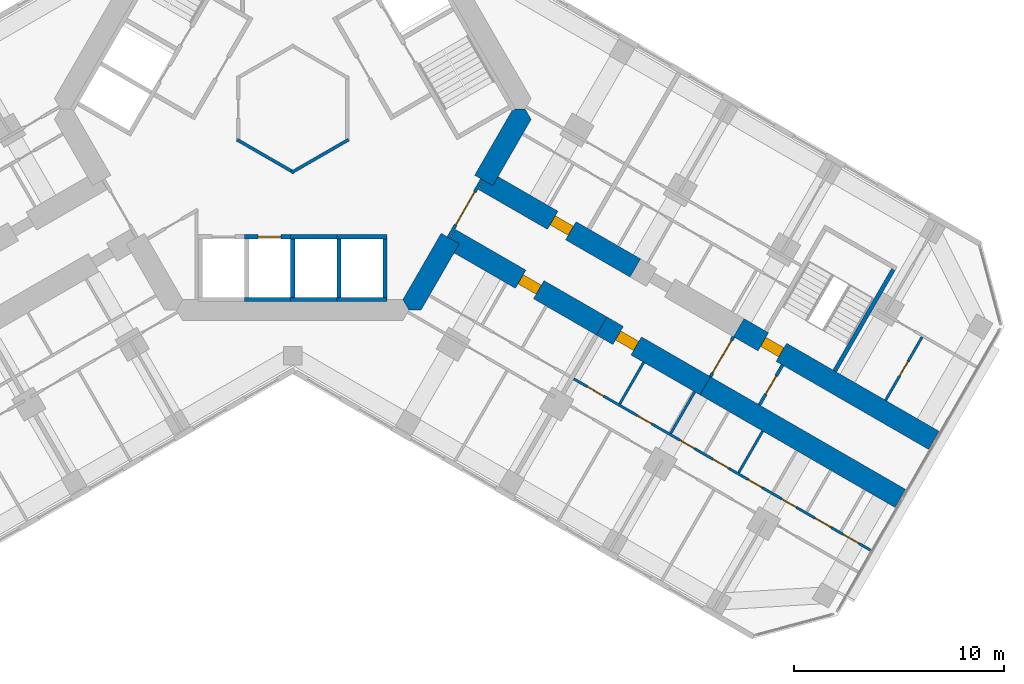
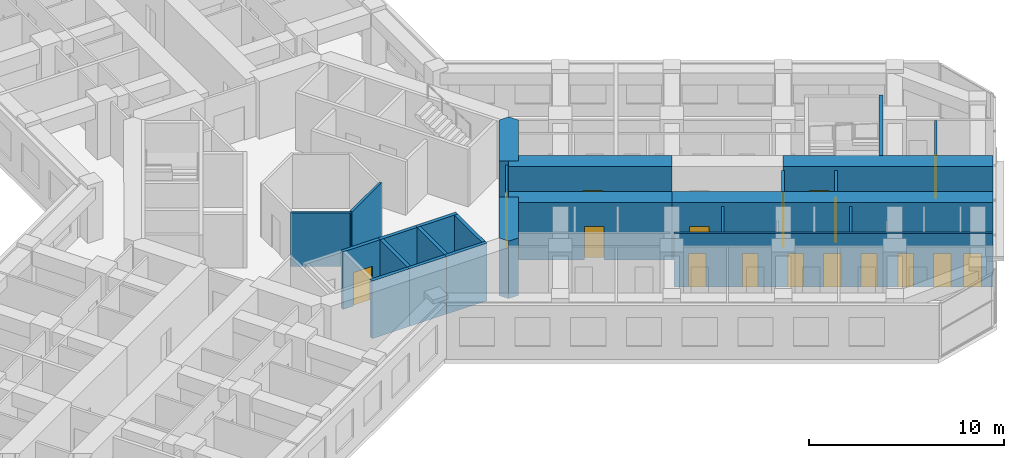
# One storey, part 15 of 22: 27 walls, 17 doors, 17 openings.
"""IFC4 building model written with IfcOpenShell, lengths in metres."""

import ifcopenshell
import ifcopenshell.guid

model = None  # the IFC model being written
_history = None  # IfcOwnerHistory: only IFC2X3 demands one
_inside = {}  # id of a spatial element -> (the spatial element, [elements in it])
_under = {}  # id of a project, library or spatial element -> (it, [spatial elements below it])
_declared = {}  # id of a project -> (the project, [libraries it declares])
_typed = {}  # id of a type object -> (the type object, [elements of that type])
_made_of = {}  # id of a material, layer set ... -> (it, [elements and type objects made of it])


def new_model(schema):
    """Start an empty IFC model of exactly this schema.

    Asked for "IFC4X3", IfcOpenShell would pick the latest addendum, in which some entities
    have other attributes; the version numbers below select the first issue.
    IFC2X3 requires an IfcOwnerHistory on every rooted entity: one is made here for all.
    """
    global model, _history
    if schema == "IFC4X3":
        model = ifcopenshell.file(schema_version=(4, 3, 0, 0))
    else:
        model = ifcopenshell.file(schema=schema)
    _inside.clear()
    _under.clear()
    _declared.clear()
    _typed.clear()
    _made_of.clear()
    _history = None
    if model.schema == "IFC2X3":
        org = make("IfcOrganization", Name="unknown")
        user = make(
            "IfcPersonAndOrganization",
            ThePerson=make("IfcPerson", FamilyName="unknown"),
            TheOrganization=org,
        )
        app = make(
            "IfcApplication",
            ApplicationDeveloper=org,
            Version="unknown",
            ApplicationFullName="unknown",
            ApplicationIdentifier="unknown",
        )
        _history = make(
            "IfcOwnerHistory",
            OwningUser=user,
            OwningApplication=app,
            ChangeAction="ADDED",
            CreationDate=0,
        )
    return model


def make(cls, **values):
    """One entity of the class cls with the attributes given. An attribute that is None is left unset."""
    return model.create_entity(
        cls, **{name: value for name, value in values.items() if value is not None}
    )


def rooted(cls, **values):
    """An entity with a GlobalId (a new one), such as an element, a storey or a relation."""
    return make(cls, GlobalId=ifcopenshell.guid.new(), OwnerHistory=_history, **values)


def si_unit(unit_type, name, prefix=None):
    """IfcSIUnit, for example si_unit("LENGTHUNIT", "METRE", prefix="MILLI")."""
    return make("IfcSIUnit", UnitType=unit_type, Prefix=prefix, Name=name)


def assignment(units):
    """IfcUnitAssignment: the units of a project."""
    return None if units is None else make("IfcUnitAssignment", Units=units)


def point(xyz):
    """IfcCartesianPoint."""
    return None if xyz is None else make("IfcCartesianPoint", Coordinates=xyz)


def direction(xyz):
    """IfcDirection."""
    return None if xyz is None else make("IfcDirection", DirectionRatios=xyz)


def frame(location, z_axis=None, x_axis=None):
    """IfcAxis2Placement3D, a coordinate frame: its origin and axes. An axis left out is left unset."""
    return make(
        "IfcAxis2Placement3D",
        Location=point(location),
        Axis=direction(z_axis),
        RefDirection=direction(x_axis),
    )


def frame_2d(location, x_axis=None):
    """IfcAxis2Placement2D, a coordinate frame in the plane: its origin and x axis."""
    return make(
        "IfcAxis2Placement2D", Location=point(location), RefDirection=direction(x_axis)
    )


def origin():
    """The frame at (0, 0, 0) with its axes left unset."""
    return frame((0.0, 0.0, 0.0))


def place(relative_to, where):
    """IfcLocalPlacement: puts the frame where relative to a parent placement (None: the world)."""
    return make(
        "IfcLocalPlacement", PlacementRelTo=relative_to, RelativePlacement=where
    )


def context(
    kind, dimensions, precision=None, world=None, true_north=None, identifier=None
):
    """IfcGeometricRepresentationContext, for example the 3D "Model" context."""
    return make(
        "IfcGeometricRepresentationContext",
        ContextIdentifier=identifier,
        ContextType=kind,
        CoordinateSpaceDimension=dimensions,
        Precision=precision,
        WorldCoordinateSystem=world,
        TrueNorth=true_north,
    )


def subcontext(parent, identifier, kind, view, scale=None):
    """IfcGeometricRepresentationSubContext, for example "Body" below "Model"."""
    return make(
        "IfcGeometricRepresentationSubContext",
        ContextIdentifier=identifier,
        ContextType=kind,
        ParentContext=parent,
        TargetScale=scale,
        TargetView=view,
    )


def project(units=None, contexts=None):
    """IfcProject with its units and contexts."""
    return rooted(
        "IfcProject",
        Name="project",
        RepresentationContexts=contexts,
        UnitsInContext=assignment(units),
    )


def spatial(cls, under=None, at=None, **own):
    """A site, building, storey or space (cls), placed at a placement, below another one or the project."""
    s = rooted(cls, ObjectPlacement=at, **own)
    if under is not None:
        _under.setdefault(under.id(), (under, []))[1].append(s)
    return s


def polyline(points):
    """IfcPolyline through the points."""
    return make("IfcPolyline", Points=[point(p) for p in points])


def profile(cls, at=None, kind="AREA", **sizes):
    """A parametric profile (cls). Its sizes go by their IFC names, for example OverallWidth=200.0."""
    return make(cls, ProfileType=kind, Position=at, **sizes)


def rectangle(**sizes):
    """IfcRectangleProfileDef."""
    return profile("IfcRectangleProfileDef", **sizes)


def outline(outer, holes=None, kind="AREA"):
    """IfcArbitraryClosedProfileDef: a profile drawn as a closed curve; with holes, ...WithVoids."""
    if holes is None:
        return make("IfcArbitraryClosedProfileDef", ProfileType=kind, OuterCurve=outer)
    return make(
        "IfcArbitraryProfileDefWithVoids",
        ProfileType=kind,
        OuterCurve=outer,
        InnerCurves=holes,
    )


def extrude(swept, where, along, depth):
    """IfcExtrudedAreaSolid: the profile swept, set in the frame where, extruded along a direction by depth."""
    return make(
        "IfcExtrudedAreaSolid",
        SweptArea=swept,
        Position=where,
        ExtrudedDirection=direction(along),
        Depth=depth,
    )


def shape(context_of_items, identifier, shape_type, items):
    """IfcShapeRepresentation: the items that make up one representation, for example the "Body"."""
    return make(
        "IfcShapeRepresentation",
        ContextOfItems=context_of_items,
        RepresentationIdentifier=identifier,
        RepresentationType=shape_type,
        Items=items,
    )


def material(Name=None, Category=None):
    """IfcMaterial."""
    return make("IfcMaterial", Name=Name, Category=Category)


def layer(
    of_material, thickness, ventilated=None, Name=None, Category=None, Priority=None
):
    """IfcMaterialLayer: one layer of a wall or slab, of a material (None: an air gap)."""
    return make(
        "IfcMaterialLayer",
        Material=of_material,
        LayerThickness=thickness,
        IsVentilated=ventilated,
        Name=Name,
        Category=Category,
        Priority=Priority,
    )


def layer_set(layers, Name=None):
    """IfcMaterialLayerSet."""
    return make("IfcMaterialLayerSet", MaterialLayers=layers, LayerSetName=Name)


def made_of(thing, what):
    """Note that an element or type object is made of a material, layer set ...; save() writes the relation."""
    if what is not None:
        _made_of.setdefault(what.id(), (what, []))[1].append(thing)
    return thing


def type_object(cls, material=None, **own):
    """A type object (cls), such as IfcWallType, which elements share."""
    return made_of(rooted(cls, **own), material)


def element(
    cls,
    number,
    at=None,
    inside=None,
    cuts=None,
    type_object=None,
    material=None,
    context=None,
    identifier="Body",
    shape_type=None,
    held_by="IfcProductDefinitionShape",
    body=None,
    shapes=None,
    **own,
):
    """One element of the class cls, such as IfcWall. Its Tag is "e" and its number.

    at: its placement. inside: the storey or other place that contains it. cuts: it is an
    opening in that element (IfcRelVoidsElement). A single representation is given by context,
    identifier, shape_type and body (its items); several are given by shapes. held_by: the class
    of the entity that holds the representations. save() writes the other relations.
    """
    e = rooted(cls, Tag="e%d" % number, ObjectPlacement=at, **own)
    if body is not None:
        shapes = [shape(context, identifier, shape_type, body)]
    if shapes is not None:
        e.Representation = make(held_by, Representations=shapes)
    if inside is not None:
        _inside.setdefault(inside.id(), (inside, []))[1].append(e)
    if cuts is not None:
        rooted(
            "IfcRelVoidsElement", RelatingBuildingElement=cuts, RelatedOpeningElement=e
        )
    if type_object is not None:
        _typed.setdefault(type_object.id(), (type_object, []))[1].append(e)
    return made_of(e, material)


def fill(opening, filler):
    """IfcRelFillsElement: the door or window that sits in an opening."""
    return rooted(
        "IfcRelFillsElement",
        RelatingOpeningElement=opening,
        RelatedBuildingElement=filler,
    )


def aggregate(whole, parts):
    """IfcRelAggregates: a whole, such as a stair, and the parts it consists of."""
    return rooted("IfcRelAggregates", RelatingObject=whole, RelatedObjects=parts)


def save(model, path):
    """Write the relations noted so far, then the file.

    IfcRelAggregates (storeys below a building ...), IfcRelContainedInSpatialStructure (elements
    in a storey), IfcRelDefinesByType, IfcRelAssociatesMaterial and IfcRelDeclares: one each for
    every whole, place, type object, material and project.
    """
    for whole, parts in _under.values():
        aggregate(whole, parts)
    for where, things in _inside.values():
        rooted(
            "IfcRelContainedInSpatialStructure",
            RelatedElements=things,
            RelatingStructure=where,
        )
    for kind, things in _typed.values():
        rooted("IfcRelDefinesByType", RelatedObjects=things, RelatingType=kind)
    for what, things in _made_of.values():
        rooted("IfcRelAssociatesMaterial", RelatedObjects=things, RelatingMaterial=what)
    for by, libraries in _declared.values():
        rooted("IfcRelDeclares", RelatingContext=by, RelatedDefinitions=libraries)
    model.write(path)


model = new_model("IFC4")

# Units and contexts
model_context = context("Model", 3, precision=1e-05, world=origin(), true_north=direction((0.0, 1.0)))
body_context = subcontext(model_context, "Body", "Model", "MODEL_VIEW")
ifc_project = project(units=[si_unit("LENGTHUNIT", "METRE"), si_unit("AREAUNIT", "SQUARE_METRE"), si_unit("VOLUMEUNIT", "CUBIC_METRE"), si_unit("PLANEANGLEUNIT", "RADIAN"), si_unit("MASSUNIT", "GRAM", prefix="KILO")], contexts=[model_context])

# Site, building, storey
site_placement = place(None, origin())
site = spatial("IfcSite", under=ifc_project, at=site_placement, CompositionType="ELEMENT")
building_placement = place(site_placement, origin())
building = spatial("IfcBuilding", under=site, at=building_placement, Name="Kosmar Iwan School Tower", CompositionType="ELEMENT")
storey_placement = place(building_placement, frame((0.0, 0.0, 95.199951171875)))
storey = spatial("IfcBuildingStorey", under=building, at=storey_placement, Name="L23", CompositionType="ELEMENT", Elevation=95.199951171875)

# Walls
ifc_material_1 = material(Name="Gypsum board on steel studs, fire-rated", Category="steel")
ifc_layer_1 = layer(ifc_material_1, 0.14990234375)
ifc_layer_set_1 = layer_set([ifc_layer_1], Name="Core room partition 150")
wall_type_1 = type_object("IfcWallType", Name="Core room partition 150", PredefinedType="PARTITIONING", material=ifc_layer_set_1)
for number, where, z_axis, x_axis, name in (
    (1, (2.6650390625, -1.463623046875, 0.0), (0.0, 0.0, 1.0), (-0.866023080072, -0.500004024767, 0.0), "Core room partition L23-CW4"),
    (2, (0.06494140625, -3.039794921875, 0.0), (0.0, 0.0, 1.0), (-0.866023080072, 0.500004024767, 0.0), "Core room partition L23-CW5"),
):
    element("IfcWall", number, at=place(storey_placement, frame(where, z_axis=z_axis, x_axis=x_axis)), inside=storey, type_object=wall_type_1, Name=name, PredefinedType="PARTITIONING", context=body_context, shape_type="SweptSolid", body=[
        extrude(rectangle(XDim=3.15234375, YDim=0.14990234375, at=frame_2d((1.576171875, 0.0))), origin(), (0.0, 0.0, 1.0), 3.35009765625),
    ])
ifc_material_2 = material(Name="Concrete C50/60", Category="concrete")
ifc_layer_2 = layer(ifc_material_2, 1.0)
ifc_layer_set_2 = layer_set([ifc_layer_2], Name="Core wall 1000")
wall_type_2 = type_object("IfcWallType", Name="Core wall 1000", PredefinedType="SHEAR", material=ifc_layer_set_2)
wall_1_placement = place(storey_placement, origin())
element("IfcWall", 3, at=wall_1_placement, inside=storey, type_object=wall_type_2, Name="Core wall F330a", PredefinedType="SHEAR", context=body_context, shape_type="SweptSolid", body=[
    extrude(outline(polyline([(5.54248046875, -9.60009765625), (6.119873046875, -9.60009765625), (7.94677734375, -6.435546875), (7.080810546875, -5.935546875), (5.25390625, -9.10009765625), (5.54248046875, -9.60009765625)])), origin(), (0.0, 0.0, 1.0), 3.60009765625),
])
wall_2_placement = place(storey_placement, origin())
element("IfcWall", 4, at=wall_2_placement, inside=storey, type_object=wall_type_2, Name="Core wall F330b", PredefinedType="SHEAR", context=body_context, shape_type="SweptSolid", body=[
    extrude(outline(polyline([(9.546875, -3.664306640625), (11.373779296875, -0.5), (11.085205078125, 0.0), (10.5078125, 0.0), (8.680908203125, -3.164306640625), (9.546875, -3.664306640625)])), origin(), (0.0, 0.0, 1.0), 3.60009765625),
])

# Wall, opening, door
ifc_material_3 = material(Name="Concrete C50/60", Category="concrete")
ifc_layer_3 = layer(ifc_material_3, 1.0)
ifc_layer_set_3 = layer_set([ifc_layer_3], Name="Corridor buttress wall 1000")
wall_type_3 = type_object("IfcWallType", Name="Corridor buttress wall 1000", PredefinedType="SHEAR", material=ifc_layer_set_3)
wall_3_placement = place(storey_placement, frame((9.11376953125, -3.414306640625, 0.0), z_axis=(0.0, 0.0, 1.0), x_axis=(0.866026859388, -0.499997478812, 0.0)))
wall_3 = element("IfcWall", 5, at=wall_3_placement, inside=storey, type_object=wall_type_3, Name="Corridor wall CL", PredefinedType="SHEAR", context=body_context, shape_type="SweptSolid", body=[
    extrude(rectangle(XDim=8.35009765625, YDim=1.0, at=frame_2d((4.175048828125, 0.0))), origin(), (0.0, 0.0, 1.0), 3.60009765625),
])
opening_1_placement = place(wall_3_placement, frame((3.800048828125, 0.0, 0.0)))
opening_1 = element("IfcOpeningElement", 6, at=opening_1_placement, cuts=wall_3, Name="Opening D1", PredefinedType="OPENING", context=body_context, shape_type="SweptSolid", body=[
    extrude(rectangle(XDim=1.0, YDim=2.10009765625, at=frame_2d((0.5, 1.050048828125))), frame((0.0, 0.511962890625, 0.0), z_axis=(0.0, -1.0, 0.0), x_axis=(1.0, 0.0, 0.0)), (0.0, 0.0, 1.0), 1.02392578125),
])
ifc_material_4 = material(Name="Timber fire door in steel frame", Category="steel")
door_type_1 = type_object("IfcDoorType", Name="Flat entrance door 1000x2100", OperationType="SINGLE_SWING_LEFT", PredefinedType="DOOR", material=ifc_material_4)
door_1_placement = place(opening_1_placement, origin())
door_1 = element("IfcDoor", 7, at=door_1_placement, inside=storey, type_object=door_type_1, Name="Flat L23-CL1 entrance door", OperationType="SINGLE_SWING_LEFT", OverallHeight=2.10009765625, OverallWidth=1.0, PredefinedType="DOOR", context=body_context, shape_type="SweptSolid", body=[
    extrude(rectangle(XDim=1.0, YDim=2.10009765625, at=frame_2d((0.5, 1.050048828125))), frame((0.0, 0.25, 0.0), z_axis=(0.0, -1.0, 0.0), x_axis=(1.0, 0.0, 0.0)), (0.0, 0.0, 1.0), 0.5),
])
fill(opening_1, door_1)

wall_4_placement = place(storey_placement, frame((21.281494140625, -10.439453125, 0.0), z_axis=(0.0, 0.0, 1.0), x_axis=(0.866032345022, -0.499987977232, 0.0)))
wall_4 = element("IfcWall", 8, at=wall_4_placement, inside=storey, type_object=wall_type_3, Name="Corridor wall CL bay 3", PredefinedType="SHEAR", context=body_context, shape_type="SweptSolid", body=[
    extrude(rectangle(XDim=10.744873046875, YDim=1.0, at=frame_2d((5.37255859375, 0.0))), origin(), (0.0, 0.0, 1.0), 3.60009765625),
])
opening_2_placement = place(wall_4_placement, frame((1.35009765625, 0.0, 0.0)))
opening_2 = element("IfcOpeningElement", 9, at=opening_2_placement, cuts=wall_4, Name="Opening D6", PredefinedType="OPENING", context=body_context, shape_type="SweptSolid", body=[
    extrude(rectangle(XDim=1.0, YDim=2.10009765625, at=frame_2d((0.5, 1.050048828125))), frame((0.0, 0.511962890625, 0.0), z_axis=(0.0, -1.0, 0.0), x_axis=(1.0, 0.0, 0.0)), (0.0, 0.0, 1.0), 1.02392578125),
])
ifc_material_5 = material(Name="Steel fire door", Category="steel")
door_type_2 = type_object("IfcDoorType", Name="Stair door 1000x2100", OperationType="SINGLE_SWING_LEFT", PredefinedType="DOOR", material=ifc_material_5)
door_2_placement = place(opening_2_placement, origin())
door_2 = element("IfcDoor", 10, at=door_2_placement, inside=storey, type_object=door_type_2, Name="Stair WS3 door L23", OperationType="SINGLE_SWING_LEFT", OverallHeight=2.10009765625, OverallWidth=1.0, PredefinedType="DOOR", context=body_context, shape_type="SweptSolid", body=[
    extrude(rectangle(XDim=1.0, YDim=2.10009765625, at=frame_2d((0.5, 1.050048828125))), frame((0.0, 0.25, 0.0), z_axis=(0.0, -1.0, 0.0), x_axis=(1.0, 0.0, 0.0)), (0.0, 0.0, 1.0), 0.5),
])
fill(opening_2, door_2)

wall_5_placement = place(storey_placement, frame((7.513916015625, -6.185546875, 0.0), z_axis=(0.0, 0.0, 1.0), x_axis=(0.866019549707, -0.500010139422, 0.0)))
wall_5 = element("IfcWall", 11, at=wall_5_placement, inside=storey, type_object=wall_type_3, Name="Corridor wall CR", PredefinedType="SHEAR", context=body_context, shape_type="SweptSolid", body=[
    extrude(rectangle(XDim=8.349853515625, YDim=1.0, at=frame_2d((4.1748046875, 0.0))), origin(), (0.0, 0.0, 1.0), 3.60009765625),
])
opening_3_placement = place(wall_5_placement, frame((3.8798828125, 0.0, 0.0)))
opening_3 = element("IfcOpeningElement", 12, at=opening_3_placement, cuts=wall_5, Name="Opening D1", PredefinedType="OPENING", context=body_context, shape_type="SweptSolid", body=[
    extrude(rectangle(XDim=1.0, YDim=2.10009765625, at=frame_2d((0.5, 1.050048828125))), frame((0.0, 0.511962890625, 0.0), z_axis=(0.0, -1.0, 0.0), x_axis=(1.0, 0.0, 0.0)), (0.0, 0.0, 1.0), 1.02392578125),
])
door_3_placement = place(opening_3_placement, origin())
door_3 = element("IfcDoor", 13, at=door_3_placement, inside=storey, type_object=door_type_1, Name="Flat L23-CR1 entrance door", OperationType="SINGLE_SWING_RIGHT", OverallHeight=2.10009765625, OverallWidth=1.0, PredefinedType="DOOR", context=body_context, shape_type="SweptSolid", body=[
    extrude(rectangle(XDim=1.0, YDim=2.10009765625, at=frame_2d((0.5, 1.050048828125))), frame((0.0, 0.25, 0.0), z_axis=(0.0, -1.0, 0.0), x_axis=(1.0, 0.0, 0.0)), (0.0, 0.0, 1.0), 0.5),
])
fill(opening_3, door_3)

wall_6_placement = place(storey_placement, frame((14.7451171875, -10.360595703125, 0.0), z_axis=(0.0, 0.0, 1.0), x_axis=(0.866015111908, -0.50001782563, 0.0)))
wall_6 = element("IfcWall", 14, at=wall_6_placement, inside=storey, type_object=wall_type_3, Name="Corridor wall CR bay 2", PredefinedType="SHEAR", context=body_context, shape_type="SweptSolid", body=[
    extrude(rectangle(XDim=5.699951171875, YDim=1.0, at=frame_2d((2.85009765625, 0.0))), origin(), (0.0, 0.0, 1.0), 3.60009765625),
])
opening_4_placement = place(wall_6_placement, frame((0.89990234375, 0.0, 0.0)))
opening_4 = element("IfcOpeningElement", 15, at=opening_4_placement, cuts=wall_6, Name="Opening D1", PredefinedType="OPENING", context=body_context, shape_type="SweptSolid", body=[
    extrude(rectangle(XDim=1.0, YDim=2.10009765625, at=frame_2d((0.5, 1.050048828125))), frame((0.0, 0.511962890625, 0.0), z_axis=(0.0, -1.0, 0.0), x_axis=(1.0, 0.0, 0.0)), (0.0, 0.0, 1.0), 1.02392578125),
])
door_4_placement = place(opening_4_placement, origin())
door_4 = element("IfcDoor", 16, at=door_4_placement, inside=storey, type_object=door_type_1, Name="Flat L23-CR2 entrance door", OperationType="SINGLE_SWING_LEFT", OverallHeight=2.10009765625, OverallWidth=1.0, PredefinedType="DOOR", context=body_context, shape_type="SweptSolid", body=[
    extrude(rectangle(XDim=1.0, YDim=2.10009765625, at=frame_2d((0.5, 1.050048828125))), frame((0.0, 0.25, 0.0), z_axis=(0.0, -1.0, 0.0), x_axis=(1.0, 0.0, 0.0)), (0.0, 0.0, 1.0), 0.5),
])
fill(opening_4, door_4)

# Wall
wall_7_placement = place(storey_placement, frame((19.681396484375, -13.210693359375, 0.0), z_axis=(0.0, 0.0, 1.0), x_axis=(0.866028186671, -0.499995179869, 0.0)))
element("IfcWall", 17, at=wall_7_placement, inside=storey, type_object=wall_type_3, Name="Corridor wall CR bay 3", PredefinedType="SHEAR", context=body_context, shape_type="SweptSolid", body=[
    extrude(rectangle(XDim=10.7451171875, YDim=1.0, at=frame_2d((5.37255859375, 0.0))), origin(), (0.0, 0.0, 1.0), 3.60009765625),
])

# Wall, opening, door
ifc_material_6 = material(Name="Gypsum board on steel studs, fire-rated", Category="steel")
ifc_layer_4 = layer(ifc_material_6, 0.14990234375)
ifc_layer_set_4 = layer_set([ifc_layer_4], Name="Corridor end wall 150")
wall_type_4 = type_object("IfcWallType", Name="Corridor end wall 150", PredefinedType="PARTITIONING", material=ifc_layer_set_4)
wall_8_placement = place(storey_placement, frame((22.269775390625, -14.127685546875, 0.0), z_axis=(0.0, 0.0, 1.0), x_axis=(0.50002983664, 0.866008176907, 0.0)))
wall_8 = element("IfcWall", 18, at=wall_8_placement, inside=storey, type_object=wall_type_4, Name="Partition L23-C-CE", PredefinedType="PARTITIONING", context=body_context, shape_type="SweptSolid", body=[
    extrude(rectangle(XDim=2.199951171875, YDim=0.14990234375, at=frame_2d((1.10009765625, 0.0))), origin(), (0.0, 0.0, 1.0), 3.35009765625),
])
opening_5_placement = place(wall_8_placement, frame((0.60009765625, 0.0, 0.0)))
opening_5 = element("IfcOpeningElement", 19, at=opening_5_placement, cuts=wall_8, Name="Opening D13", PredefinedType="OPENING", context=body_context, shape_type="SweptSolid", body=[
    extrude(rectangle(XDim=1.0, YDim=2.10009765625, at=frame_2d((0.5, 1.050048828125))), frame((0.0, 0.0869140625, 0.0), z_axis=(0.0, -1.0, 0.0), x_axis=(1.0, 0.0, 0.0)), (0.0, 0.0, 1.0), 0.173828125),
])
ifc_material_7 = material(Name="Timber fire door with vision panel", Category="wood")
door_type_3 = type_object("IfcDoorType", Name="Corridor end door 1000x2100", OperationType="SINGLE_SWING_LEFT", PredefinedType="DOOR", material=ifc_material_7)
door_5_placement = place(opening_5_placement, origin())
door_5 = element("IfcDoor", 20, at=door_5_placement, inside=storey, type_object=door_type_3, Name="Hobby workshop door L23-C", OperationType="SINGLE_SWING_RIGHT", OverallHeight=2.10009765625, OverallWidth=1.0, PredefinedType="DOOR", context=body_context, shape_type="SweptSolid", body=[
    extrude(rectangle(XDim=1.0, YDim=2.10009765625, at=frame_2d((0.5, 1.050048828125))), frame((0.0, 0.02490234375, 0.0), z_axis=(0.0, -1.0, 0.0), x_axis=(1.0, 0.0, 0.0)), (0.0, 0.0, 1.0), 0.050048828125),
])
fill(opening_5, door_5)

wall_9_placement = place(storey_placement, frame((19.931396484375, -12.777587890625, 0.0), z_axis=(0.0, 0.0, 1.0), x_axis=(0.50002983664, 0.866008176907, 0.0)))
wall_9 = element("IfcWall", 21, at=wall_9_placement, inside=storey, type_object=wall_type_4, Name="Partition L23-C-HW", PredefinedType="PARTITIONING", context=body_context, shape_type="SweptSolid", body=[
    extrude(rectangle(XDim=2.199951171875, YDim=0.14990234375, at=frame_2d((1.10009765625, 0.0))), origin(), (0.0, 0.0, 1.0), 3.35009765625),
])
opening_6_placement = place(wall_9_placement, frame((0.199951171875, 0.0, 0.0)))
opening_6 = element("IfcOpeningElement", 22, at=opening_6_placement, cuts=wall_9, Name="Opening D9", PredefinedType="OPENING", context=body_context, shape_type="SweptSolid", body=[
    extrude(rectangle(XDim=1.800048828125, YDim=2.10009765625, at=frame_2d((0.89990234375, 1.050048828125))), frame((0.0, 0.0869140625, 0.0), z_axis=(0.0, -1.0, 0.0), x_axis=(1.0, 0.0, 0.0)), (0.0, 0.0, 1.0), 0.173828125),
])
ifc_material_8 = material(Name="Steel framed glazed smoke door", Category="steel")
door_type_4 = type_object("IfcDoorType", Name="Corridor smoke door pair 1800x2100", OperationType="DOUBLE_DOOR_DOUBLE_SWING", PredefinedType="DOOR", material=ifc_material_8)
door_6_placement = place(opening_6_placement, origin())
door_6 = element("IfcDoor", 23, at=door_6_placement, inside=storey, type_object=door_type_4, Name="Entrance vestibule smoke doors L23-C", OperationType="DOUBLE_DOOR_DOUBLE_SWING", OverallHeight=2.10009765625, OverallWidth=1.800048828125, PredefinedType="DOOR", context=body_context, shape_type="SweptSolid", body=[
    extrude(rectangle(XDim=1.800048828125, YDim=2.10009765625, at=frame_2d((0.89990234375, 1.050048828125))), frame((0.0, 0.02490234375, 0.0), z_axis=(0.0, -1.0, 0.0), x_axis=(1.0, 0.0, 0.0)), (0.0, 0.0, 1.0), 0.050048828125),
])
fill(opening_6, door_6)

ifc_material_9 = material(Name="Steel framed glazed screen", Category="steel")
ifc_layer_5 = layer(ifc_material_9, 0.14990234375)
ifc_layer_set_5 = layer_set([ifc_layer_5], Name="Corridor screen wall 150")
wall_type_5 = type_object("IfcWallType", Name="Corridor screen wall 150", PredefinedType="PARTITIONING", material=ifc_layer_set_5)
wall_10_placement = place(storey_placement, frame((7.42724609375, -6.1357421875, 0.0), z_axis=(0.0, 0.0, 1.0), x_axis=(0.499995408039, 0.866028054938, 0.0)))
wall_10 = element("IfcWall", 24, at=wall_10_placement, inside=storey, type_object=wall_type_5, Name="Corridor screen C L23", PredefinedType="PARTITIONING", context=body_context, shape_type="SweptSolid", body=[
    extrude(rectangle(XDim=3.2001953125, YDim=0.14990234375, at=frame_2d((1.60009765625, 0.0))), origin(), (0.0, 0.0, 1.0), 3.35009765625),
])
opening_7_placement = place(wall_10_placement, frame((0.699951171875, 0.0, 0.0)))
opening_7 = element("IfcOpeningElement", 25, at=opening_7_placement, cuts=wall_10, Name="Opening D9", PredefinedType="OPENING", context=body_context, shape_type="SweptSolid", body=[
    extrude(rectangle(XDim=1.800048828125, YDim=2.10009765625, at=frame_2d((0.89990234375, 1.050048828125))), frame((0.0, 0.0869140625, 0.0), z_axis=(0.0, -1.0, 0.0), x_axis=(1.0, 0.0, 0.0)), (0.0, 0.0, 1.0), 0.173828125),
])
door_7_placement = place(opening_7_placement, origin())
door_7 = element("IfcDoor", 26, at=door_7_placement, inside=storey, type_object=door_type_4, Name="Corridor doors C L23", OperationType="DOUBLE_DOOR_DOUBLE_SWING", OverallHeight=2.10009765625, OverallWidth=1.800048828125, PredefinedType="DOOR", context=body_context, shape_type="SweptSolid", body=[
    extrude(rectangle(XDim=1.800048828125, YDim=2.10009765625, at=frame_2d((0.89990234375, 1.050048828125))), frame((0.0, 0.02490234375, 0.0), z_axis=(0.0, -1.0, 0.0), x_axis=(1.0, 0.0, 0.0)), (0.0, 0.0, 1.0), 0.050048828125),
])
fill(opening_7, door_7)

ifc_material_10 = material(Name="Gypsum board on steel studs", Category="steel")
ifc_layer_6 = layer(ifc_material_10, 0.1201171875)
ifc_layer_set_6 = layer_set([ifc_layer_6], Name="Dwelling partition 120")
wall_type_6 = type_object("IfcWallType", Name="Dwelling partition 120", PredefinedType="PARTITIONING", material=ifc_layer_set_6)
wall_11_placement = place(storey_placement, frame((28.286376953125, -13.90625, 0.0), z_axis=(0.0, 0.0, 1.0), x_axis=(0.50002117804, 0.866013176292, 0.0)))
wall_11 = element("IfcWall", 27, at=wall_11_placement, inside=storey, type_object=wall_type_6, Name="Partition L23-CL2-TY", PredefinedType="PARTITIONING", context=body_context, shape_type="SweptSolid", body=[
    extrude(rectangle(XDim=3.489990234375, YDim=0.1201171875, at=frame_2d((1.7451171875, 0.0))), origin(), (0.0, 0.0, 1.0), 3.35009765625),
])
opening_8_placement = place(wall_11_placement, frame((1.344970703125, 0.0, 0.0)))
opening_8 = element("IfcOpeningElement", 28, at=opening_8_placement, cuts=wall_11, Name="Opening D3", PredefinedType="OPENING", context=body_context, shape_type="SweptSolid", body=[
    extrude(rectangle(XDim=0.800048828125, YDim=2.10009765625, at=frame_2d((0.39990234375, 1.050048828125))), frame((0.0, 0.072021484375, 0.0), z_axis=(0.0, -1.0, 0.0), x_axis=(1.0, 0.0, 0.0)), (0.0, 0.0, 1.0), 0.14404296875),
])
ifc_material_11 = material(Name="Timber door in timber frame", Category="wood")
door_type_5 = type_object("IfcDoorType", Name="Sanitary room door 800x2100", OperationType="SINGLE_SWING_LEFT", PredefinedType="DOOR", material=ifc_material_11)
door_8_placement = place(opening_8_placement, origin())
door_8 = element("IfcDoor", 29, at=door_8_placement, inside=storey, type_object=door_type_5, Name="Shower room door L23-CL2-T4", OperationType="SINGLE_SWING_LEFT", OverallHeight=2.10009765625, OverallWidth=0.800048828125, PredefinedType="DOOR", context=body_context, shape_type="SweptSolid", body=[
    extrude(rectangle(XDim=0.800048828125, YDim=2.10009765625, at=frame_2d((0.39990234375, 1.050048828125))), frame((0.0, 0.02490234375, 0.0), z_axis=(0.0, -1.0, 0.0), x_axis=(1.0, 0.0, 0.0)), (0.0, 0.0, 1.0), 0.050048828125),
])
fill(opening_8, door_8)

# Wall, openings, doors
wall_12_placement = place(storey_placement, frame((13.40673828125, -12.87890625, 0.0), z_axis=(0.0, 0.0, 1.0), x_axis=(0.86603037493, -0.499991389624, 0.0)))
wall_12 = element("IfcWall", 30, at=wall_12_placement, inside=storey, type_object=wall_type_6, Name="Partition L23-CR2-W1", PredefinedType="PARTITIONING", context=body_context, shape_type="SweptSolid", body=[
    extrude(rectangle(XDim=16.344970703125, YDim=0.1201171875, at=frame_2d((8.17236328125, 0.0))), origin(), (0.0, 0.0, 1.0), 3.35009765625),
])
opening_9_placement = place(wall_12_placement, frame((0.75, 0.0, 0.0)))
opening_9 = element("IfcOpeningElement", 31, at=opening_9_placement, cuts=wall_12, Name="Opening D2", PredefinedType="OPENING", context=body_context, shape_type="SweptSolid", body=[
    extrude(rectangle(XDim=0.89990234375, YDim=2.10009765625, at=frame_2d((0.449951171875, 1.050048828125))), frame((0.0, 0.072021484375, 0.0), z_axis=(0.0, -1.0, 0.0), x_axis=(1.0, 0.0, 0.0)), (0.0, 0.0, 1.0), 0.14404296875),
])
opening_10_placement = place(wall_12_placement, frame((3.505126953125, 0.0, 0.0)))
opening_10 = element("IfcOpeningElement", 32, at=opening_10_placement, cuts=wall_12, Name="Opening D3", PredefinedType="OPENING", context=body_context, shape_type="SweptSolid", body=[
    extrude(rectangle(XDim=0.800048828125, YDim=2.10009765625, at=frame_2d((0.39990234375, 1.050048828125))), frame((0.0, 0.072021484375, 0.0), z_axis=(0.0, -1.0, 0.0), x_axis=(1.0, 0.0, 0.0)), (0.0, 0.0, 1.0), 0.14404296875),
])
opening_11_placement = place(wall_12_placement, frame((5.8466796875, 0.0, 0.0)))
opening_11 = element("IfcOpeningElement", 33, at=opening_11_placement, cuts=wall_12, Name="Opening D3", PredefinedType="OPENING", context=body_context, shape_type="SweptSolid", body=[
    extrude(rectangle(XDim=0.800048828125, YDim=2.10009765625, at=frame_2d((0.39990234375, 1.050048828125))), frame((0.0, 0.072021484375, 0.0), z_axis=(0.0, -1.0, 0.0), x_axis=(1.0, 0.0, 0.0)), (0.0, 0.0, 1.0), 0.14404296875),
])
opening_12_placement = place(wall_12_placement, frame((7.669921875, 0.0, 0.0)))
opening_12 = element("IfcOpeningElement", 34, at=opening_12_placement, cuts=wall_12, Name="Opening D2", PredefinedType="OPENING", context=body_context, shape_type="SweptSolid", body=[
    extrude(rectangle(XDim=0.89990234375, YDim=2.10009765625, at=frame_2d((0.449951171875, 1.050048828125))), frame((0.0, 0.072021484375, 0.0), z_axis=(0.0, -1.0, 0.0), x_axis=(1.0, 0.0, 0.0)), (0.0, 0.0, 1.0), 0.14404296875),
])
opening_13_placement = place(wall_12_placement, frame((9.59326171875, 0.0, 0.0)))
opening_13 = element("IfcOpeningElement", 35, at=opening_13_placement, cuts=wall_12, Name="Opening D3", PredefinedType="OPENING", context=body_context, shape_type="SweptSolid", body=[
    extrude(rectangle(XDim=0.800048828125, YDim=2.10009765625, at=frame_2d((0.39990234375, 1.050048828125))), frame((0.0, 0.072021484375, 0.0), z_axis=(0.0, -1.0, 0.0), x_axis=(1.0, 0.0, 0.0)), (0.0, 0.0, 1.0), 0.14404296875),
])
opening_14_placement = place(wall_12_placement, frame((11.466796875, 0.0, 0.0)))
opening_14 = element("IfcOpeningElement", 36, at=opening_14_placement, cuts=wall_12, Name="Opening D3", PredefinedType="OPENING", context=body_context, shape_type="SweptSolid", body=[
    extrude(rectangle(XDim=0.800048828125, YDim=2.10009765625, at=frame_2d((0.39990234375, 1.050048828125))), frame((0.0, 0.072021484375, 0.0), z_axis=(0.0, -1.0, 0.0), x_axis=(1.0, 0.0, 0.0)), (0.0, 0.0, 1.0), 0.14404296875),
])
opening_15_placement = place(wall_12_placement, frame((13.2900390625, 0.0, 0.0)))
opening_15 = element("IfcOpeningElement", 37, at=opening_15_placement, cuts=wall_12, Name="Opening D2", PredefinedType="OPENING", context=body_context, shape_type="SweptSolid", body=[
    extrude(rectangle(XDim=0.89990234375, YDim=2.10009765625, at=frame_2d((0.449951171875, 1.050048828125))), frame((0.0, 0.072021484375, 0.0), z_axis=(0.0, -1.0, 0.0), x_axis=(1.0, 0.0, 0.0)), (0.0, 0.0, 1.0), 0.14404296875),
])
opening_16_placement = place(wall_12_placement, frame((14.836669921875, 0.0, 0.0)))
opening_16 = element("IfcOpeningElement", 38, at=opening_16_placement, cuts=wall_12, Name="Opening D2", PredefinedType="OPENING", context=body_context, shape_type="SweptSolid", body=[
    extrude(rectangle(XDim=0.89990234375, YDim=2.10009765625, at=frame_2d((0.449951171875, 1.050048828125))), frame((0.0, 0.072021484375, 0.0), z_axis=(0.0, -1.0, 0.0), x_axis=(1.0, 0.0, 0.0)), (0.0, 0.0, 1.0), 0.14404296875),
])
ifc_material_12 = material(Name="Timber door in timber frame", Category="wood")
door_type_6 = type_object("IfcDoorType", Name="Internal door 900x2100", OperationType="SINGLE_SWING_LEFT", PredefinedType="DOOR", material=ifc_material_12)
door_9_placement = place(opening_9_placement, origin())
door_9 = element("IfcDoor", 39, at=door_9_placement, inside=storey, type_object=door_type_6, Name="Entrance hall door L23-CR2-S1", OperationType="SINGLE_SWING_RIGHT", OverallHeight=2.10009765625, OverallWidth=0.89990234375, PredefinedType="DOOR", context=body_context, shape_type="SweptSolid", body=[
    extrude(rectangle(XDim=0.89990234375, YDim=2.10009765625, at=frame_2d((0.449951171875, 1.050048828125))), frame((0.0, 0.02490234375, 0.0), z_axis=(0.0, -1.0, 0.0), x_axis=(1.0, 0.0, 0.0)), (0.0, 0.0, 1.0), 0.050048828125),
])
fill(opening_9, door_9)
door_10_placement = place(opening_12_placement, origin())
door_10 = element("IfcDoor", 40, at=door_10_placement, inside=storey, type_object=door_type_6, Name="Pantry door L23-CR2-S4", OperationType="SINGLE_SWING_LEFT", OverallHeight=2.10009765625, OverallWidth=0.89990234375, PredefinedType="DOOR", context=body_context, shape_type="SweptSolid", body=[
    extrude(rectangle(XDim=0.89990234375, YDim=2.10009765625, at=frame_2d((0.449951171875, 1.050048828125))), frame((0.0, 0.02490234375, 0.0), z_axis=(0.0, -1.0, 0.0), x_axis=(1.0, 0.0, 0.0)), (0.0, 0.0, 1.0), 0.050048828125),
])
fill(opening_12, door_10)
door_11_placement = place(opening_15_placement, origin())
door_11 = element("IfcDoor", 41, at=door_11_placement, inside=storey, type_object=door_type_6, Name="Utility room door L23-CR2-S7", OperationType="SINGLE_SWING_RIGHT", OverallHeight=2.10009765625, OverallWidth=0.89990234375, PredefinedType="DOOR", context=body_context, shape_type="SweptSolid", body=[
    extrude(rectangle(XDim=0.89990234375, YDim=2.10009765625, at=frame_2d((0.449951171875, 1.050048828125))), frame((0.0, 0.02490234375, 0.0), z_axis=(0.0, -1.0, 0.0), x_axis=(1.0, 0.0, 0.0)), (0.0, 0.0, 1.0), 0.050048828125),
])
fill(opening_15, door_11)
door_12_placement = place(opening_16_placement, origin())
door_12 = element("IfcDoor", 42, at=door_12_placement, inside=storey, type_object=door_type_6, Name="Dressing room door L23-CR2-S8", OperationType="SINGLE_SWING_LEFT", OverallHeight=2.10009765625, OverallWidth=0.89990234375, PredefinedType="DOOR", context=body_context, shape_type="SweptSolid", body=[
    extrude(rectangle(XDim=0.89990234375, YDim=2.10009765625, at=frame_2d((0.449951171875, 1.050048828125))), frame((0.0, 0.02490234375, 0.0), z_axis=(0.0, -1.0, 0.0), x_axis=(1.0, 0.0, 0.0)), (0.0, 0.0, 1.0), 0.050048828125),
])
fill(opening_16, door_12)
door_13_placement = place(opening_10_placement, origin())
door_13 = element("IfcDoor", 43, at=door_13_placement, inside=storey, type_object=door_type_5, Name="Bathroom door L23-CR2-S2", OperationType="SINGLE_SWING_LEFT", OverallHeight=2.10009765625, OverallWidth=0.800048828125, PredefinedType="DOOR", context=body_context, shape_type="SweptSolid", body=[
    extrude(rectangle(XDim=0.800048828125, YDim=2.10009765625, at=frame_2d((0.39990234375, 1.050048828125))), frame((0.0, 0.02490234375, 0.0), z_axis=(0.0, -1.0, 0.0), x_axis=(1.0, 0.0, 0.0)), (0.0, 0.0, 1.0), 0.050048828125),
])
fill(opening_10, door_13)
door_14_placement = place(opening_11_placement, origin())
door_14 = element("IfcDoor", 44, at=door_14_placement, inside=storey, type_object=door_type_5, Name="Shower room door L23-CR2-S3", OperationType="SINGLE_SWING_RIGHT", OverallHeight=2.10009765625, OverallWidth=0.800048828125, PredefinedType="DOOR", context=body_context, shape_type="SweptSolid", body=[
    extrude(rectangle(XDim=0.800048828125, YDim=2.10009765625, at=frame_2d((0.39990234375, 1.050048828125))), frame((0.0, 0.02490234375, 0.0), z_axis=(0.0, -1.0, 0.0), x_axis=(1.0, 0.0, 0.0)), (0.0, 0.0, 1.0), 0.050048828125),
])
fill(opening_11, door_14)
door_15_placement = place(opening_13_placement, origin())
door_15 = element("IfcDoor", 45, at=door_15_placement, inside=storey, type_object=door_type_5, Name="WC door L23-CR2-S5", OperationType="SINGLE_SWING_RIGHT", OverallHeight=2.10009765625, OverallWidth=0.800048828125, PredefinedType="DOOR", context=body_context, shape_type="SweptSolid", body=[
    extrude(rectangle(XDim=0.800048828125, YDim=2.10009765625, at=frame_2d((0.39990234375, 1.050048828125))), frame((0.0, 0.02490234375, 0.0), z_axis=(0.0, -1.0, 0.0), x_axis=(1.0, 0.0, 0.0)), (0.0, 0.0, 1.0), 0.050048828125),
])
fill(opening_13, door_15)
door_16_placement = place(opening_14_placement, origin())
door_16 = element("IfcDoor", 46, at=door_16_placement, inside=storey, type_object=door_type_5, Name="Store door L23-CR2-S6", OperationType="SINGLE_SWING_LEFT", OverallHeight=2.10009765625, OverallWidth=0.800048828125, PredefinedType="DOOR", context=body_context, shape_type="SweptSolid", body=[
    extrude(rectangle(XDim=0.800048828125, YDim=2.10009765625, at=frame_2d((0.39990234375, 1.050048828125))), frame((0.0, 0.02490234375, 0.0), z_axis=(0.0, -1.0, 0.0), x_axis=(1.0, 0.0, 0.0)), (0.0, 0.0, 1.0), 0.050048828125),
])
fill(opening_14, door_16)

# Walls
wall_13_placement = place(storey_placement, frame((16.746826171875, -12.09375, 0.0), z_axis=(0.0, 0.0, 1.0), x_axis=(-0.500014693593, -0.866016920268, 0.0)))
element("IfcWall", 47, at=wall_13_placement, inside=storey, type_object=wall_type_6, Name="Partition L23-CR2-Y1", PredefinedType="PARTITIONING", context=body_context, shape_type="SweptSolid", body=[
    extrude(rectangle(XDim=2.2900390625, YDim=0.1201171875, at=frame_2d((1.14501953125, 0.0))), origin(), (0.0, 0.0, 1.0), 3.35009765625),
])
wall_14_placement = place(storey_placement, frame((19.180419921875, -13.49853515625, 0.0), z_axis=(0.0, 0.0, 1.0), x_axis=(-0.499968531483, -0.866043571379, 0.0)))
element("IfcWall", 48, at=wall_14_placement, inside=storey, type_object=wall_type_6, Name="Partition L23-CR2-Y2", PredefinedType="PARTITIONING", context=body_context, shape_type="SweptSolid", body=[
    extrude(rectangle(XDim=2.290283203125, YDim=0.1201171875, at=frame_2d((1.14501953125, 0.0))), origin(), (0.0, 0.0, 1.0), 2.449951171875),
])
wall_15_placement = place(storey_placement, frame((22.425048828125, -15.3720703125, 0.0), z_axis=(0.0, 0.0, 1.0), x_axis=(-0.500014693593, -0.866016920268, 0.0)))
element("IfcWall", 49, at=wall_15_placement, inside=storey, type_object=wall_type_6, Name="Partition L23-CR2-Y4", PredefinedType="PARTITIONING", context=body_context, shape_type="SweptSolid", body=[
    extrude(rectangle(XDim=2.2900390625, YDim=0.1201171875, at=frame_2d((1.14501953125, 0.0))), origin(), (0.0, 0.0, 1.0), 3.35009765625),
])
ifc_material_13 = material(Name="Concrete C35/45", Category="concrete")
ifc_layer_7 = layer(ifc_material_13, 0.199951171875)
ifc_layer_set_7 = layer_set([ifc_layer_7], Name="Escape stair wall 200")
wall_type_7 = type_object("IfcWallType", Name="Escape stair wall 200", PredefinedType="SHEAR", material=ifc_layer_set_7)
wall_16_placement = place(storey_placement, frame((25.861572265625, -12.50634765625, 0.0), z_axis=(0.0, 0.0, 1.0), x_axis=(0.500018801468, 0.86601454848, 0.0)))
element("IfcWall", 50, at=wall_16_placement, inside=storey, type_object=wall_type_7, Name="Stair WS3 wall", PredefinedType="SHEAR", context=body_context, shape_type="SweptSolid", body=[
    extrude(rectangle(XDim=5.800048828125, YDim=0.199951171875, at=frame_2d((2.89990234375, 0.0))), origin(), (0.0, 0.0, 1.0), 3.330078125),
])

# Wall, opening, door
ifc_material_14 = material(Name="Concrete C50/60", Category="concrete")
ifc_layer_8 = layer(ifc_material_14, 0.199951171875)
ifc_layer_set_8 = layer_set([ifc_layer_8], Name="Lift shaft wall 200")
wall_type_8 = type_object("IfcWallType", Name="Lift shaft wall 200", PredefinedType="SHEAR", material=ifc_layer_set_8)
wall_17_placement = place(storey_placement, frame((-2.300048828125, -6.10009765625, 0.0), z_axis=(0.0, 0.0, 1.0), x_axis=(1.0, 0.0, 0.0)))
wall_17 = element("IfcWall", 51, at=wall_17_placement, inside=storey, type_object=wall_type_8, Name="Lift and stair front wall BC", PredefinedType="SHEAR", context=body_context, shape_type="SweptSolid", body=[
    extrude(rectangle(XDim=2.199951171875, YDim=0.199951171875, at=frame_2d((1.10009765625, 0.0))), origin(), (0.0, 0.0, 1.0), 3.60009765625),
])
opening_17_placement = place(wall_17_placement, frame((0.64990234375, 0.0, 0.0)))
opening_17 = element("IfcOpeningElement", 52, at=opening_17_placement, cuts=wall_17, Name="Opening LD1", PredefinedType="OPENING", context=body_context, shape_type="SweptSolid", body=[
    extrude(rectangle(XDim=1.10009765625, YDim=2.10009765625, at=frame_2d((0.550048828125, 1.050048828125))), frame((0.0, 0.112060546875, 0.0), z_axis=(0.0, -1.0, 0.0), x_axis=(1.0, 0.0, 0.0)), (0.0, 0.0, 1.0), 0.223876953125),
])
ifc_material_15 = material(Name="Stainless steel sliding lift door", Category="steel")
door_type_7 = type_object("IfcDoorType", Name="Lift landing door 1100x2100", OperationType="SLIDING_TO_LEFT", PredefinedType="DOOR", material=ifc_material_15)
door_17_placement = place(opening_17_placement, origin())
door_17 = element("IfcDoor", 53, at=door_17_placement, inside=storey, type_object=door_type_7, Name="Lift PL2 landing door L23", OperationType="SLIDING_TO_LEFT", OverallHeight=2.10009765625, OverallWidth=1.10009765625, PredefinedType="DOOR", context=body_context, shape_type="SweptSolid", body=[
    extrude(rectangle(XDim=1.10009765625, YDim=2.10009765625, at=frame_2d((0.550048828125, 1.050048828125))), frame((0.0, 0.02490234375, 0.0), z_axis=(0.0, -1.0, 0.0), x_axis=(1.0, 0.0, 0.0)), (0.0, 0.0, 1.0), 0.050048828125),
])
fill(opening_17, door_17)

# Walls
wall_18_placement = place(storey_placement, frame((-2.300048828125, -9.10009765625, 0.0), z_axis=(0.0, 0.0, 1.0), x_axis=(1.0, 0.0, 0.0)))
element("IfcWall", 54, at=wall_18_placement, inside=storey, type_object=wall_type_8, Name="Lift and stair back wall BC", PredefinedType="SHEAR", context=body_context, shape_type="SweptSolid", body=[
    extrude(rectangle(XDim=2.199951171875, YDim=0.199951171875, at=frame_2d((1.10009765625, 0.0))), origin(), (0.0, 0.0, 1.0), 3.60009765625),
])
for number, where, z_axis, x_axis, name in (
    (55, (-0.10009765625, -6.10009765625, 0.0), (0.0, 0.0, 1.0), (1.0, 0.0, 0.0), "Lift and stair front wall BC"),
    (56, (-0.10009765625, -9.10009765625, 0.0), (0.0, 0.0, 1.0), (1.0, 0.0, 0.0), "Lift and stair back wall BC"),
):
    element("IfcWall", number, at=place(storey_placement, frame(where, z_axis=z_axis, x_axis=x_axis)), inside=storey, type_object=wall_type_8, Name=name, PredefinedType="SHEAR", context=body_context, shape_type="SweptSolid", body=[
        extrude(rectangle(XDim=2.2001953125, YDim=0.199951171875, at=frame_2d((1.10009765625, 0.0))), origin(), (0.0, 0.0, 1.0), 3.60009765625),
    ])
for number, where, z_axis, x_axis, name in (
    (57, (2.10009765625, -6.10009765625, 0.0), (0.0, 0.0, 1.0), (1.0, 0.0, 0.0), "Lift and stair front wall BC"),
    (58, (2.10009765625, -9.10009765625, 0.0), (0.0, 0.0, 1.0), (1.0, 0.0, 0.0), "Lift and stair back wall BC"),
):
    element("IfcWall", number, at=place(storey_placement, frame(where, z_axis=z_axis, x_axis=x_axis)), inside=storey, type_object=wall_type_8, Name=name, PredefinedType="SHEAR", context=body_context, shape_type="SweptSolid", body=[
        extrude(rectangle(XDim=2.39990234375, YDim=0.199951171875, at=frame_2d((1.199951171875, 0.0))), origin(), (0.0, 0.0, 1.0), 3.60009765625),
    ])
for number, where, z_axis, x_axis, name in (
    (59, (0.0, -6.199951171875, 0.0), (0.0, 0.0, 1.0), (0.0, -1.0, 0.0), "Lift shaft wall BC 2"),
    (60, (2.199951171875, -6.199951171875, 0.0), (0.0, 0.0, 1.0), (0.0, -1.0, 0.0), "Lift shaft wall BC 3"),
    (61, (4.39990234375, -6.199951171875, 0.0), (0.0, 0.0, 1.0), (0.0, -1.0, 0.0), "Lift shaft wall BC 4"),
):
    element("IfcWall", number, at=place(storey_placement, frame(where, z_axis=z_axis, x_axis=x_axis)), inside=storey, type_object=wall_type_8, Name=name, PredefinedType="SHEAR", context=body_context, shape_type="SweptSolid", body=[
        extrude(rectangle(XDim=2.800048828125, YDim=0.199951171875, at=frame_2d((1.39990234375, 0.0))), origin(), (0.0, 0.0, 1.0), 3.60009765625),
    ])

save(model, "model.ifc")
